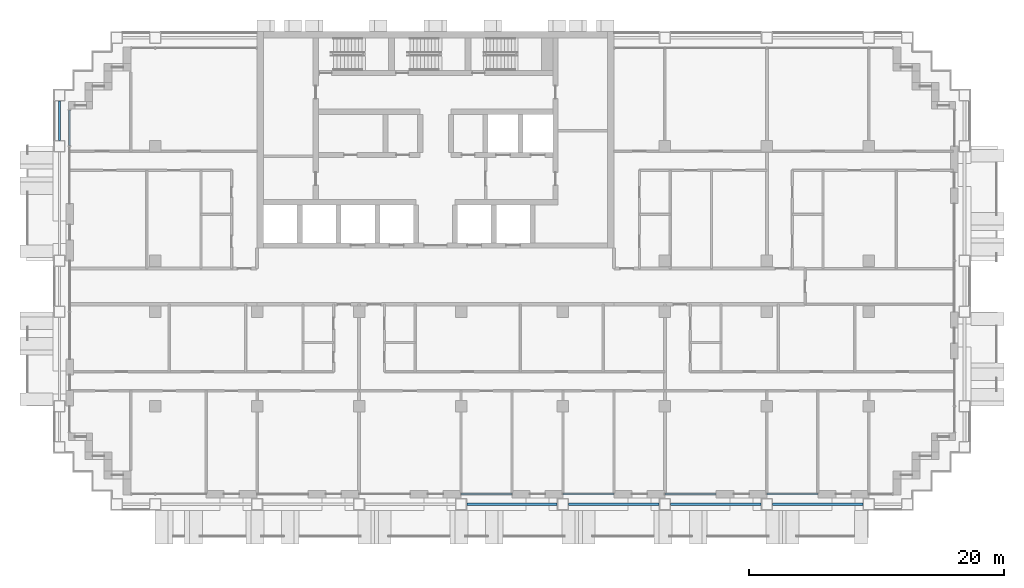
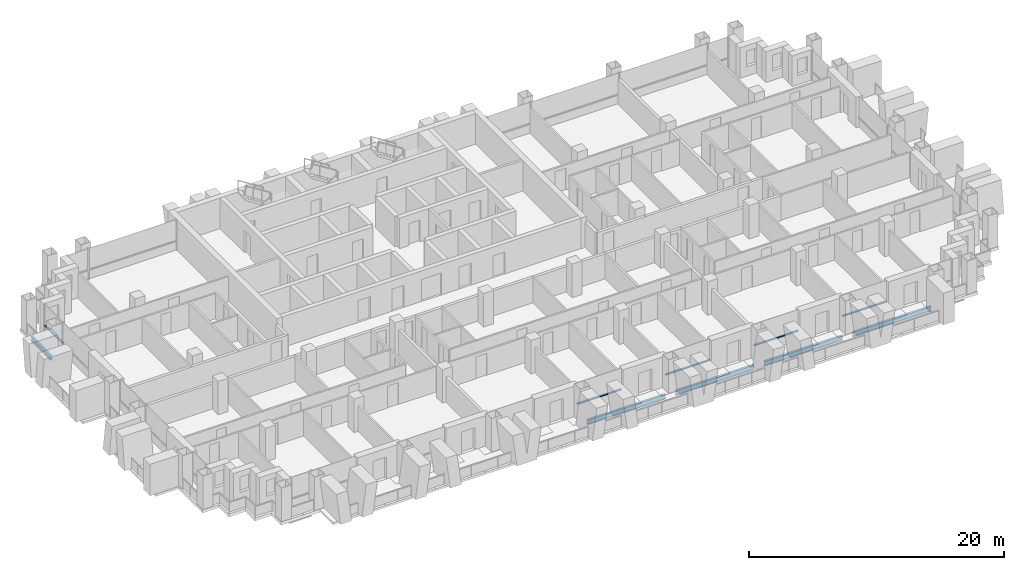
# One storey, part 3 of 17: 5 beams, 5 members, 5 elements without a shape of their own.
"""IFC4 building model written with IfcOpenShell, lengths in metres."""

from ifc_helpers import new_model, si_unit, direction, frame, origin, origin_2d, place, context, subcontext, project, spatial, rectangle, i_section, extrude, material, material_profile, profile_set, type_object, element, aggregate, save


model = new_model("IFC4")

# Units and contexts
model_context = context("Model", 3, precision=1e-05, world=origin(), true_north=direction((0.0, 1.0)))
body_context = subcontext(model_context, "Body", "Model", "MODEL_VIEW")
ifc_project = project(units=[si_unit("LENGTHUNIT", "METRE"), si_unit("AREAUNIT", "SQUARE_METRE"), si_unit("VOLUMEUNIT", "CUBIC_METRE"), si_unit("PLANEANGLEUNIT", "RADIAN"), si_unit("MASSUNIT", "GRAM", prefix="KILO")], contexts=[model_context])

# Site, building, storey
site_placement = place(None, origin())
site = spatial("IfcSite", under=ifc_project, at=site_placement, CompositionType="ELEMENT")
building_placement = place(site_placement, origin())
building = spatial("IfcBuilding", under=site, at=building_placement, Name="Vidyagriha Tower", CompositionType="ELEMENT")
storey_placement = place(building_placement, frame((0.0, 0.0, 96.699951171875)))
storey = spatial("IfcBuildingStorey", under=building, at=storey_placement, Name="L25", CompositionType="ELEMENT", Elevation=96.699951171875)

# Beams
ifc_material_1 = material(Name="Steel ASTM A992 Grade 50", Category="steel")
ifc_material_profile_1 = material_profile(ifc_material_1, i_section(OverallWidth=0.19189453125, OverallDepth=0.46240234375, WebThickness=0.010498046875, FlangeThickness=0.017578125, at=origin_2d()), Name="W18X60")
ifc_profile_set_1 = profile_set([ifc_material_profile_1], Name="Steel ASTM A992 Grade 50")
beam_type = type_object("IfcBeamType", Name="Edge beam W18X60", PredefinedType="SPANDREL", material=ifc_profile_set_1)
for number, where, z_axis, x_axis, name in (
    (1, (2.449951171875, -17.10009765625, -0.510986328125), (1.0, 0.0, 0.0), (0.0, 1.0, 0.0), "st-beam-L25-S05"),
    (2, (10.449951171875, -17.10009765625, -0.510986328125), (1.0, 0.0, 0.0), (0.0, 1.0, 0.0), "st-beam-L25-S06"),
    (3, (18.449951171875, -17.10009765625, -0.510986328125), (1.0, 0.0, 0.0), (0.0, 1.0, 0.0), "st-beam-L25-S07"),
    (4, (26.449951171875, -17.10009765625, -0.510986328125), (1.0, 0.0, 0.0), (0.0, 1.0, 0.0), "st-beam-L25-S08"),
):
    element("IfcBeam", number, at=place(storey_placement, frame(where, z_axis=z_axis, x_axis=x_axis)), inside=storey, type_object=beam_type, Name=name, PredefinedType="SPANDREL", context=body_context, shape_type="SweptSolid", body=[
        extrude(i_section(OverallWidth=0.19189453125, OverallDepth=0.46240234375, WebThickness=0.010498046875, FlangeThickness=0.017578125, at=origin_2d()), origin(), (0.0, 0.0, 1.0), 7.10009765625),
    ])
beam_placement = place(storey_placement, frame((-29.5, 11.449951171875, -0.510986328125), z_axis=(0.0, 1.0, 0.0), x_axis=(-1.0, 0.0, 0.0)))
element("IfcBeam", 5, at=beam_placement, inside=storey, type_object=beam_type, Name="st-beam-L25-W14", PredefinedType="SPANDREL", context=body_context, shape_type="SweptSolid", body=[
    extrude(i_section(OverallWidth=0.19189453125, OverallDepth=0.46240234375, WebThickness=0.010498046875, FlangeThickness=0.017578125, at=origin_2d()), origin(), (0.0, 0.0, 1.0), 3.10009765625),
])

# Curtain wall, member
ifc_material_2 = material(Name="Aluminium and glass curtain wall", Category="aluminium")
curtain_wall_type = type_object("IfcCurtainWallType", Name="Dwelling skin unitised curtain wall", PredefinedType="USERDEFINED", material=ifc_material_2)
curtain_wall_1_placement = place(storey_placement, origin())
curtain_wall_1 = element("IfcCurtainWall", 6, at=curtain_wall_1_placement, inside=storey, type_object=curtain_wall_type, Name="CW1 dwelling skin", ObjectType="UNITISED", PredefinedType="USERDEFINED")
ifc_material_3 = material(Name="Aluminium black anodised", Category="aluminium")
ifc_material_profile_2 = material_profile(ifc_material_3, rectangle(XDim=0.159912109375, YDim=0.10009765625, at=origin_2d()), Name="Transom 100x160 black aluminium")
ifc_profile_set_2 = profile_set([ifc_material_profile_2], Name="Aluminium black anodised")
member_type = type_object("IfcMemberType", Name="Transom 100x160 black aluminium", PredefinedType="USERDEFINED", material=ifc_profile_set_2)
member_1_placement = place(storey_placement, frame((-28.699951171875, 13.830078125, 0.900146484375), z_axis=(0.0, -1.0, 0.0), x_axis=(1.0, 0.0, 0.0)))
member_1 = element("IfcMember", 7, at=member_1_placement, type_object=member_type, Name="CW1 transom 1.1", ObjectType="TRANSOM", PredefinedType="USERDEFINED", context=body_context, shape_type="SweptSolid", body=[
    extrude(rectangle(XDim=0.159912109375, YDim=0.10009765625, at=origin_2d()), origin(), (0.0, 0.0, 1.0), 2.795166015625),
])
aggregate(curtain_wall_1, [member_1])

curtain_wall_2_placement = place(storey_placement, origin())
curtain_wall_2 = element("IfcCurtainWall", 8, at=curtain_wall_2_placement, inside=storey, type_object=curtain_wall_type, Name="CW1 dwelling skin", ObjectType="UNITISED", PredefinedType="USERDEFINED")
member_2_placement = place(storey_placement, frame((2.0, -16.300048828125, 0.900146484375), z_axis=(1.0, 0.0, 0.0), x_axis=(0.0, 1.0, 0.0)))
member_2 = element("IfcMember", 9, at=member_2_placement, type_object=member_type, Name="CW1 transom 1.1", ObjectType="TRANSOM", PredefinedType="USERDEFINED", context=body_context, shape_type="SweptSolid", body=[
    extrude(rectangle(XDim=0.159912109375, YDim=0.10009765625, at=origin_2d()), origin(), (0.0, 0.0, 1.0), 4.0),
])
aggregate(curtain_wall_2, [member_2])

curtain_wall_3_placement = place(storey_placement, origin())
curtain_wall_3 = element("IfcCurtainWall", 10, at=curtain_wall_3_placement, inside=storey, type_object=curtain_wall_type, Name="CW1 dwelling skin", ObjectType="UNITISED", PredefinedType="USERDEFINED")
member_3_placement = place(storey_placement, frame((10.0, -16.300048828125, 0.900146484375), z_axis=(1.0, 0.0, 0.0), x_axis=(0.0, 1.0, 0.0)))
member_3 = element("IfcMember", 11, at=member_3_placement, type_object=member_type, Name="CW1 transom 1.1", ObjectType="TRANSOM", PredefinedType="USERDEFINED", context=body_context, shape_type="SweptSolid", body=[
    extrude(rectangle(XDim=0.159912109375, YDim=0.10009765625, at=origin_2d()), origin(), (0.0, 0.0, 1.0), 4.0),
])
aggregate(curtain_wall_3, [member_3])

curtain_wall_4_placement = place(storey_placement, origin())
curtain_wall_4 = element("IfcCurtainWall", 12, at=curtain_wall_4_placement, inside=storey, type_object=curtain_wall_type, Name="CW1 dwelling skin", ObjectType="UNITISED", PredefinedType="USERDEFINED")
member_4_placement = place(storey_placement, frame((18.0, -16.300048828125, 0.900146484375), z_axis=(1.0, 0.0, 0.0), x_axis=(0.0, 1.0, 0.0)))
member_4 = element("IfcMember", 13, at=member_4_placement, type_object=member_type, Name="CW1 transom 1.1", ObjectType="TRANSOM", PredefinedType="USERDEFINED", context=body_context, shape_type="SweptSolid", body=[
    extrude(rectangle(XDim=0.159912109375, YDim=0.10009765625, at=origin_2d()), origin(), (0.0, 0.0, 1.0), 4.0),
])
aggregate(curtain_wall_4, [member_4])

curtain_wall_5_placement = place(storey_placement, origin())
curtain_wall_5 = element("IfcCurtainWall", 14, at=curtain_wall_5_placement, inside=storey, type_object=curtain_wall_type, Name="CW1 dwelling skin", ObjectType="UNITISED", PredefinedType="USERDEFINED")
member_5_placement = place(storey_placement, frame((26.0, -16.300048828125, 0.900146484375), z_axis=(1.0, 0.0, 0.0), x_axis=(0.0, 1.0, 0.0)))
member_5 = element("IfcMember", 15, at=member_5_placement, type_object=member_type, Name="CW1 transom 1.1", ObjectType="TRANSOM", PredefinedType="USERDEFINED", context=body_context, shape_type="SweptSolid", body=[
    extrude(rectangle(XDim=0.159912109375, YDim=0.10009765625, at=origin_2d()), origin(), (0.0, 0.0, 1.0), 4.0),
])
aggregate(curtain_wall_5, [member_5])

save(model, "model.ifc")
